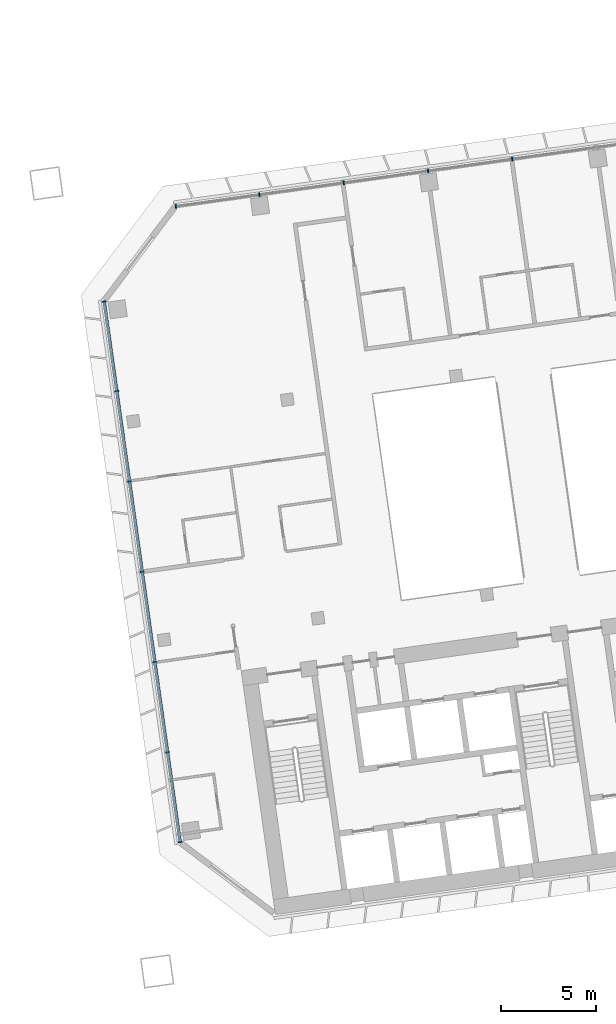
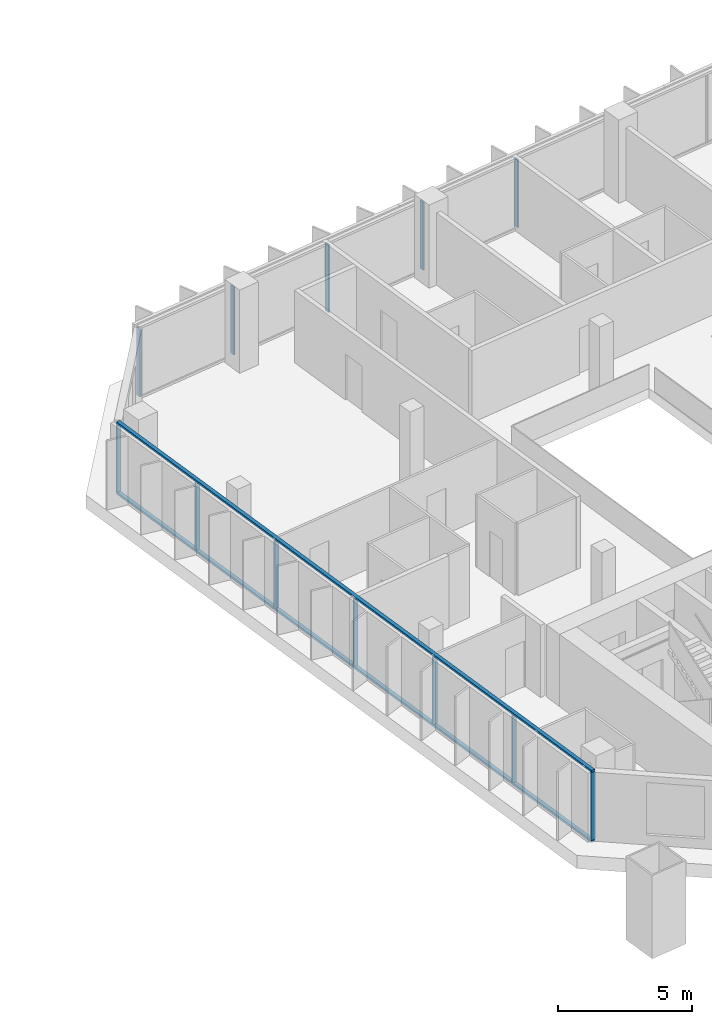
# One storey, part 9 of 34: 14 members, 2 elements without a shape of their own.
"""IFC4 building model written with IfcOpenShell, lengths in metres."""

from ifc_helpers import new_model, si_unit, direction, frame, origin, origin_2d, place, context, subcontext, project, spatial, rectangle, extrude, material, material_profile, profile_set, type_object, element, aggregate, save


model = new_model("IFC4")

# Units and contexts
model_context = context("Model", 3, precision=1e-05, world=origin(), true_north=direction((0.0, 1.0)))
body_context = subcontext(model_context, "Body", "Model", "MODEL_VIEW")
ifc_project = project(units=[si_unit("LENGTHUNIT", "METRE"), si_unit("AREAUNIT", "SQUARE_METRE"), si_unit("VOLUMEUNIT", "CUBIC_METRE"), si_unit("PLANEANGLEUNIT", "RADIAN"), si_unit("MASSUNIT", "GRAM", prefix="KILO")], contexts=[model_context])

# Site, building, storey
site_placement = place(None, origin())
site = spatial("IfcSite", under=ifc_project, at=site_placement, CompositionType="ELEMENT")
building_placement = place(site_placement, origin())
building = spatial("IfcBuilding", under=site, at=building_placement, Name="Mirante Cascada Hotel Towers", CompositionType="ELEMENT")
storey_placement = place(building_placement, frame((0.0, 0.0, 148.1)))
storey = spatial("IfcBuildingStorey", under=building, at=storey_placement, Name="L34", CompositionType="ELEMENT", Elevation=148.1)

# Curtain wall, members
ifc_material_1 = material(Name="Aluminium mullion and transom frame with clear laminated glass", Category="aluminium")
curtain_wall_type_1 = type_object("IfcCurtainWallType", Name="Ribbon curtain wall ECW1", PredefinedType="NOTDEFINED", material=ifc_material_1)
curtain_wall_1_placement = place(storey_placement, origin())
curtain_wall_1 = element("IfcCurtainWall", 1, at=curtain_wall_1_placement, inside=storey, type_object=curtain_wall_type_1, Name="Front ribbon wall T2 L34", PredefinedType="NOTDEFINED")
ifc_material_2 = material(Name="Anodised aluminium extrusion", Category="aluminium")
ifc_material_profile_1 = material_profile(ifc_material_2, rectangle(XDim=0.2, YDim=0.065, at=origin_2d()), Name="ECW1 MULLION 65x200")
ifc_profile_set_1 = profile_set([ifc_material_profile_1], Name="Anodised aluminium extrusion")
member_type_1 = type_object("IfcMemberType", Name="ECW1 mullion 65x200", PredefinedType="MULLION", material=ifc_profile_set_1)
member_1_placement = place(storey_placement, frame((49.684, 19.8017, 0.1), z_axis=(0.0, 0.0, 1.0), x_axis=(0.1391731, -0.9902681, 0.0)))
member_1 = element("IfcMember", 2, at=member_1_placement, type_object=member_type_1, Name="ECW1 mullion 11", PredefinedType="MULLION", context=body_context, shape_type="SweptSolid", body=[
    extrude(rectangle(XDim=0.2, YDim=0.065, at=origin_2d()), origin(), (0.0, 0.0, 1.0), 3.1),
])
member_2_placement = place(storey_placement, frame((45.2366, 19.1766, 0.1), z_axis=(0.0, 0.0, 1.0), x_axis=(0.1391731, -0.9902681, 0.0)))
member_2 = element("IfcMember", 3, at=member_2_placement, type_object=member_type_1, Name="ECW1 mullion 12", PredefinedType="MULLION", context=body_context, shape_type="SweptSolid", body=[
    extrude(rectangle(XDim=0.2, YDim=0.065, at=origin_2d()), origin(), (0.0, 0.0, 1.0), 3.1),
])
member_3_placement = place(storey_placement, frame((40.7892, 18.5516, 0.1), z_axis=(0.0, 0.0, 1.0), x_axis=(0.1391731, -0.9902681, 0.0)))
member_3 = element("IfcMember", 4, at=member_3_placement, type_object=member_type_1, Name="ECW1 mullion 13", PredefinedType="MULLION", context=body_context, shape_type="SweptSolid", body=[
    extrude(rectangle(XDim=0.2, YDim=0.065, at=origin_2d()), origin(), (0.0, 0.0, 1.0), 3.1),
])
member_4_placement = place(storey_placement, frame((36.3417, 17.9265, 0.1), z_axis=(0.0, 0.0, 1.0), x_axis=(0.1391731, -0.9902681, 0.0)))
member_4 = element("IfcMember", 5, at=member_4_placement, type_object=member_type_1, Name="ECW1 mullion 14", PredefinedType="MULLION", context=body_context, shape_type="SweptSolid", body=[
    extrude(rectangle(XDim=0.2, YDim=0.065, at=origin_2d()), origin(), (0.0, 0.0, 1.0), 3.1),
])
member_5_placement = place(storey_placement, frame((31.9265, 17.306, 0.1), z_axis=(0.0, 0.0, 1.0), x_axis=(0.1391731, -0.9902681, 0.0)))
member_5 = element("IfcMember", 6, at=member_5_placement, type_object=member_type_1, Name="ECW1 mullion 15", PredefinedType="MULLION", context=body_context, shape_type="SweptSolid", body=[
    extrude(rectangle(XDim=0.2, YDim=0.065, at=origin_2d()), origin(), (0.0, 0.0, 1.0), 3.1),
])
aggregate(curtain_wall_1, [member_1, member_2, member_3, member_4, member_5])

ifc_material_3 = material(Name="Aluminium mullion and transom frame with clear laminated glass", Category="aluminium")
curtain_wall_type_2 = type_object("IfcCurtainWallType", Name="End ribbon curtain wall ECW2", PredefinedType="NOTDEFINED", material=ifc_material_3)
curtain_wall_2_placement = place(storey_placement, origin())
curtain_wall_2 = element("IfcCurtainWall", 7, at=curtain_wall_2_placement, inside=storey, type_object=curtain_wall_type_2, Name="Inner end wall T2 L34", PredefinedType="NOTDEFINED")
ifc_material_4 = material(Name="Anodised aluminium extrusion", Category="aluminium")
ifc_material_profile_2 = material_profile(ifc_material_4, rectangle(XDim=0.2, YDim=0.065, at=origin_2d()), Name="ECW2 MULLION 65x200")
ifc_profile_set_2 = profile_set([ifc_material_profile_2], Name="Anodised aluminium extrusion")
member_type_2 = type_object("IfcMemberType", Name="ECW2 mullion 65x200", PredefinedType="MULLION", material=ifc_profile_set_2)
member_6_placement = place(storey_placement, frame((28.1437, 12.2861, 0.1), z_axis=(0.0, 0.0, 1.0), x_axis=(0.9902681, 0.1391731, 0.0)))
member_6 = element("IfcMember", 8, at=member_6_placement, type_object=member_type_2, Name="ECW2 mullion 1", PredefinedType="MULLION", context=body_context, shape_type="SweptSolid", body=[
    extrude(rectangle(XDim=0.2, YDim=0.065, at=origin_2d()), origin(), (0.0, 0.0, 1.0), 3.1),
])
member_7_placement = place(storey_placement, frame((28.809, 7.5524, 0.1), z_axis=(0.0, 0.0, 1.0), x_axis=(0.9902681, 0.1391731, 0.0)))
member_7 = element("IfcMember", 9, at=member_7_placement, type_object=member_type_2, Name="ECW2 mullion 2", PredefinedType="MULLION", context=body_context, shape_type="SweptSolid", body=[
    extrude(rectangle(XDim=0.2, YDim=0.065, at=origin_2d()), origin(), (0.0, 0.0, 1.0), 3.1),
])
member_8_placement = place(storey_placement, frame((29.4788, 2.7867, 0.1), z_axis=(0.0, 0.0, 1.0), x_axis=(0.9902681, 0.1391731, 0.0)))
member_8 = element("IfcMember", 10, at=member_8_placement, type_object=member_type_2, Name="ECW2 mullion 3", PredefinedType="MULLION", context=body_context, shape_type="SweptSolid", body=[
    extrude(rectangle(XDim=0.2, YDim=0.065, at=origin_2d()), origin(), (0.0, 0.0, 1.0), 3.1),
])
member_9_placement = place(storey_placement, frame((30.1485, -1.9791, 0.1), z_axis=(0.0, 0.0, 1.0), x_axis=(0.9902681, 0.1391731, 0.0)))
member_9 = element("IfcMember", 11, at=member_9_placement, type_object=member_type_2, Name="ECW2 mullion 4", PredefinedType="MULLION", context=body_context, shape_type="SweptSolid", body=[
    extrude(rectangle(XDim=0.2, YDim=0.065, at=origin_2d()), origin(), (0.0, 0.0, 1.0), 3.1),
])
member_10_placement = place(storey_placement, frame((30.8183, -6.7449, 0.1), z_axis=(0.0, 0.0, 1.0), x_axis=(0.9902681, 0.1391731, 0.0)))
member_10 = element("IfcMember", 12, at=member_10_placement, type_object=member_type_2, Name="ECW2 mullion 5", PredefinedType="MULLION", context=body_context, shape_type="SweptSolid", body=[
    extrude(rectangle(XDim=0.2, YDim=0.065, at=origin_2d()), origin(), (0.0, 0.0, 1.0), 3.1),
])
member_11_placement = place(storey_placement, frame((31.4881, -11.5107, 0.1), z_axis=(0.0, 0.0, 1.0), x_axis=(0.9902681, 0.1391731, 0.0)))
member_11 = element("IfcMember", 13, at=member_11_placement, type_object=member_type_2, Name="ECW2 mullion 6", PredefinedType="MULLION", context=body_context, shape_type="SweptSolid", body=[
    extrude(rectangle(XDim=0.2, YDim=0.065, at=origin_2d()), origin(), (0.0, 0.0, 1.0), 3.1),
])
member_12_placement = place(storey_placement, frame((32.1534, -16.2443, 0.1), z_axis=(0.0, 0.0, 1.0), x_axis=(0.9902681, 0.1391731, 0.0)))
member_12 = element("IfcMember", 14, at=member_12_placement, type_object=member_type_2, Name="ECW2 mullion 7", PredefinedType="MULLION", context=body_context, shape_type="SweptSolid", body=[
    extrude(rectangle(XDim=0.2, YDim=0.065, at=origin_2d()), origin(), (0.0, 0.0, 1.0), 3.1),
])
ifc_material_5 = material(Name="Anodised aluminium extrusion", Category="aluminium")
ifc_material_profile_3 = material_profile(ifc_material_5, rectangle(XDim=0.16, YDim=0.1, at=origin_2d()), Name="ECW2 TRANSOM 100x160")
ifc_profile_set_3 = profile_set([ifc_material_profile_3], Name="Anodised aluminium extrusion")
member_type_3 = type_object("IfcMemberType", Name="ECW2 transom 100x160", PredefinedType="USERDEFINED", material=ifc_profile_set_3)
member_13_placement = place(storey_placement, frame((28.1392, 12.3182, 0.05), z_axis=(0.1391723, -0.9902682, 0.0), x_axis=(0.9902682, 0.1391723, 0.0)))
member_13 = element("IfcMember", 15, at=member_13_placement, type_object=member_type_3, Name="ECW2 sill transom", ObjectType="TRANSOM", PredefinedType="USERDEFINED", context=body_context, shape_type="SweptSolid", body=[
    extrude(rectangle(XDim=0.16, YDim=0.1, at=origin_2d()), origin(), (0.0, 0.0, 1.0), 28.8757),
])
member_14_placement = place(storey_placement, frame((28.1392, 12.3182, 3.25), z_axis=(0.1391723, -0.9902682, 0.0), x_axis=(0.9902682, 0.1391723, 0.0)))
member_14 = element("IfcMember", 16, at=member_14_placement, type_object=member_type_3, Name="ECW2 head transom", ObjectType="TRANSOM", PredefinedType="USERDEFINED", context=body_context, shape_type="SweptSolid", body=[
    extrude(rectangle(XDim=0.16, YDim=0.1, at=origin_2d()), origin(), (0.0, 0.0, 1.0), 28.8757),
])
aggregate(curtain_wall_2, [member_13, member_14, member_6, member_7, member_8, member_9, member_10, member_11, member_12])

save(model, "model.ifc")
